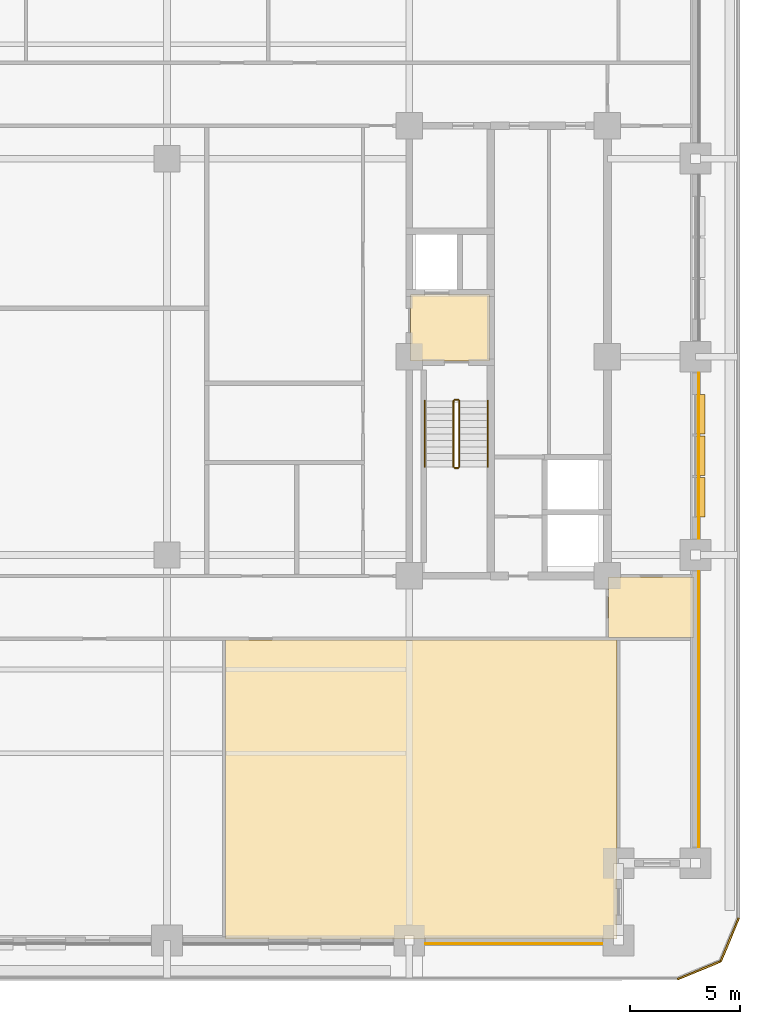
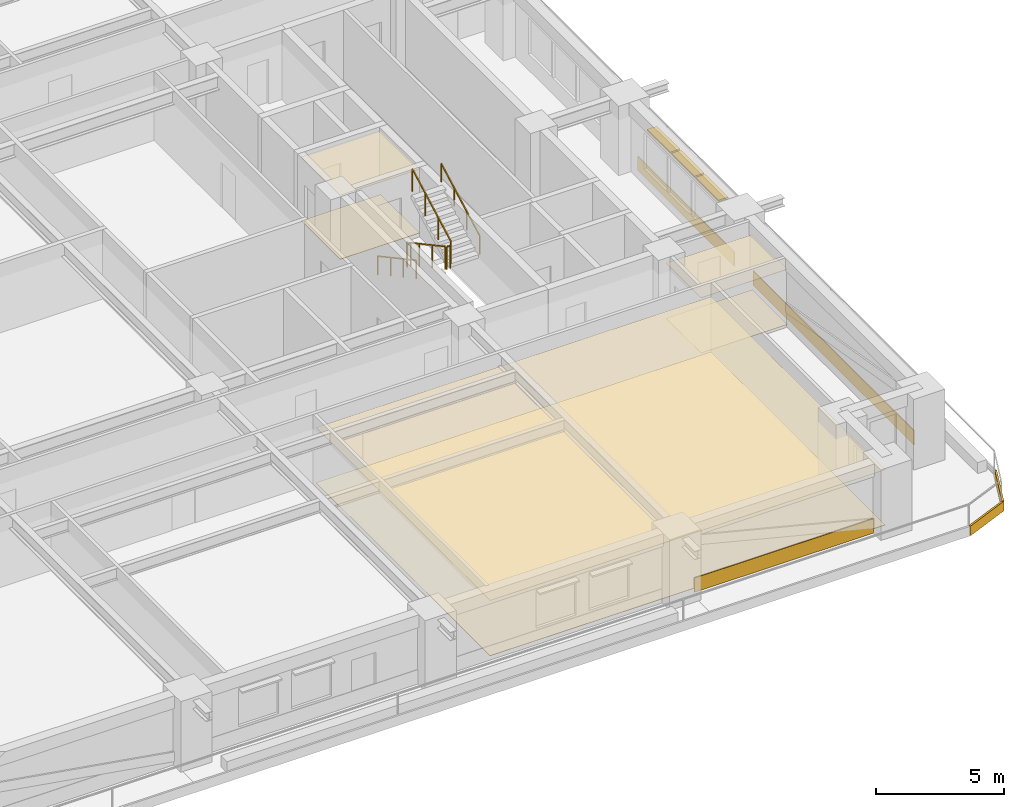
# One storey, part 13 of 14: 11 coverings, 6 railings, 3 shading devices.
"""IFC4 building model written with IfcOpenShell, lengths in metres."""

from ifc_helpers import new_model, si_unit, direction, frame, frame_2d, origin, origin_2d, place, context, subcontext, project, spatial, polyline, rectangle, outline, extrude, material, layer, layer_set, type_object, element, save


model = new_model("IFC4")

# Units and contexts
model_context = context("Model", 3, precision=1e-05, world=origin(), true_north=direction((0.0, 1.0)))
body_context = subcontext(model_context, "Body", "Model", "MODEL_VIEW")
ifc_project = project(units=[si_unit("LENGTHUNIT", "METRE"), si_unit("AREAUNIT", "SQUARE_METRE"), si_unit("VOLUMEUNIT", "CUBIC_METRE"), si_unit("PLANEANGLEUNIT", "RADIAN"), si_unit("MASSUNIT", "GRAM", prefix="KILO")], contexts=[model_context])

# Site, building, storey
site_placement = place(None, origin())
site = spatial("IfcSite", under=ifc_project, at=site_placement, CompositionType="ELEMENT")
building_placement = place(site_placement, origin())
building = spatial("IfcBuilding", under=site, at=building_placement, Name="Zulmaris Gate Convention Tower", CompositionType="ELEMENT")
storey_placement = place(building_placement, frame((0.0, 0.0, 64.329833984375)))
storey = spatial("IfcBuildingStorey", under=building, at=storey_placement, Name="L15", CompositionType="ELEMENT", Elevation=64.329833984375)

# Coverings
ifc_material_1 = material(Name="Precast concrete C40/50", Category="concrete")
ifc_layer_1 = layer(ifc_material_1, 0.0400390625, Name="Precast concrete C40/50")
ifc_layer_set_1 = layer_set([ifc_layer_1], Name="Precast concrete C40/50")
covering_type_1 = type_object("IfcCoveringType", Name="CLAD-SPANDREL-PRECAST", PredefinedType="CLADDING", material=ifc_layer_set_1)
covering_1_placement = place(storey_placement, frame((11.72998046875, -26.64990234375, 0.0), z_axis=(0.0, 0.0, 1.0), x_axis=(1.0, 0.0, 0.0)))
element("IfcCovering", 1, at=covering_1_placement, inside=storey, type_object=covering_type_1, Name="CLD-L15-S-3_0", PredefinedType="CLADDING", context=body_context, shape_type="SweptSolid", body=[
    extrude(rectangle(XDim=8.0400390625, YDim=0.0400390625, at=frame_2d((4.02001953125, 0.0))), origin(), (0.0, 0.0, 1.0), 0.679931640625),
])
covering_2_placement = place(storey_placement, frame((24.14990234375, -22.27001953125, 0.0), z_axis=(0.0, 0.0, 1.0), x_axis=(0.0, 1.0, 0.0)))
element("IfcCovering", 2, at=covering_2_placement, inside=storey, type_object=covering_type_1, Name="CLD-L15-E-0_0", PredefinedType="CLADDING", context=body_context, shape_type="SweptSolid", body=[
    extrude(rectangle(XDim=12.5400390625, YDim=0.0400390625, at=frame_2d((6.27001953125, 0.0))), origin(), (0.0, 0.0, 1.0), 0.679931640625),
])
covering_3_placement = place(storey_placement, frame((24.14990234375, -8.27001953125, 0.0), z_axis=(0.0, 0.0, 1.0), x_axis=(0.0, 1.0, 0.0)))
element("IfcCovering", 3, at=covering_3_placement, inside=storey, type_object=covering_type_1, Name="CLD-L15-E-1_0", PredefinedType="CLADDING", context=body_context, shape_type="SweptSolid", body=[
    extrude(rectangle(XDim=7.5400390625, YDim=0.0400390625, at=frame_2d((3.77001953125, 0.0))), origin(), (0.0, 0.0, 1.0), 0.679931640625),
])
ifc_material_2 = material(Name="White Glazed Architectural Precast Concrete C40/50", Category="concrete")
ifc_layer_2 = layer(ifc_material_2, 0.080078125, Name="White Glazed Architectural Precast Concrete C40/50")
ifc_layer_set_2 = layer_set([ifc_layer_2], Name="White Glazed Architectural Precast Concrete C40/50")
covering_type_2 = type_object("IfcCoveringType", Name="CLAD-TRAY-FASCIA", PredefinedType="CLADDING", material=ifc_layer_set_2)
covering_4_placement = place(storey_placement, frame((23.184814453125, -28.262939453125, -0.340087890625), z_axis=(0.0, 0.0, 1.0), x_axis=(0.923873803533, 0.382697263049, 0.0)))
element("IfcCovering", 4, at=covering_4_placement, inside=storey, type_object=covering_type_2, Name="FSC-L15-TR-03", PredefinedType="CLADDING", context=body_context, shape_type="SweptSolid", body=[
    extrude(rectangle(XDim=2.142822265625, YDim=0.080078125, at=frame_2d((1.0712890625, 0.0))), origin(), (0.0, 0.0, 1.0), 0.4599609375),
])
covering_5_placement = place(storey_placement, frame((25.142822265625, -27.464599609375, -0.340087890625), z_axis=(0.0, 0.0, 1.0), x_axis=(0.382656984709, 0.923890487046, 0.0)))
element("IfcCovering", 5, at=covering_5_placement, inside=storey, type_object=covering_type_2, Name="FSC-L15-TR-04", PredefinedType="CLADDING", context=body_context, shape_type="SweptSolid", body=[
    extrude(rectangle(XDim=2.14306640625, YDim=0.080078125, at=frame_2d((1.071533203125, 0.0))), origin(), (0.0, 0.0, 1.0), 0.4599609375),
])
ifc_material_3 = material(Name="Mineral Fibre Acoustic Ceiling Tile")
ifc_layer_3 = layer(ifc_material_3, 0.02001953125, Name="Mineral Fibre Acoustic Ceiling Tile")
ifc_layer_set_3 = layer_set([ifc_layer_3], Name="Mineral Fibre Acoustic Ceiling Tile")
covering_type_3 = type_object("IfcCoveringType", Name="CLG-ACOUSTIC-600", PredefinedType="CEILING", material=ifc_layer_set_3)
covering_6_placement = place(storey_placement, frame((0.0, 0.0, 3.0400390625)))
element("IfcCovering", 6, at=covering_6_placement, inside=storey, type_object=covering_type_3, Name="CLG-L15-R08", PredefinedType="CEILING", context=body_context, shape_type="SweptSolid", body=[
    extrude(outline(polyline([(11.06005859375, -0.18994140625), (14.639892578125, -0.18994140625), (14.639892578125, 2.840087890625), (11.06005859375, 2.840087890625), (11.06005859375, -0.18994140625)])), origin(), (0.0, 0.0, 1.0), 0.02001953125),
])
covering_7_placement = place(storey_placement, frame((0.0, 0.0, 2.628173828125)))
element("IfcCovering", 7, at=covering_7_placement, inside=storey, type_object=covering_type_3, Name="CLG-L15-R38", PredefinedType="CEILING", context=body_context, shape_type="SweptSolid", body=[
    extrude(outline(polyline([(2.659912109375, -26.43994140625), (20.43994140625, -26.43994140625), (20.43994140625, -12.860107421875), (2.659912109375, -12.860107421875), (2.659912109375, -26.43994140625)])), origin(), (0.0, 0.0, 1.0), 0.019775390625),
])
covering_8_placement = place(storey_placement, frame((0.0, 0.0, 2.628173828125)))
element("IfcCovering", 8, at=covering_8_placement, inside=storey, type_object=covering_type_3, Name="CLG-L15-R50", PredefinedType="CEILING", context=body_context, shape_type="SweptSolid", body=[
    extrude(outline(polyline([(20.06005859375, -12.739990234375), (23.93994140625, -12.739990234375), (23.93994140625, -10.010009765625), (20.06005859375, -10.010009765625), (20.06005859375, -12.739990234375)])), origin(), (0.0, 0.0, 1.0), 0.019775390625),
])
ifc_material_4 = material(Name="Woven Acoustic Wool Carpet Tile")
ifc_layer_4 = layer(ifc_material_4, 0.02001953125, Name="Woven Acoustic Wool Carpet Tile")
ifc_layer_set_4 = layer_set([ifc_layer_4], Name="Woven Acoustic Wool Carpet Tile")
covering_type_4 = type_object("IfcCoveringType", Name="FLR-CARPET-12", PredefinedType="FLOORING", material=ifc_layer_set_4)
covering_9_placement = place(storey_placement, origin())
element("IfcCovering", 9, at=covering_9_placement, inside=storey, type_object=covering_type_4, Name="FLR-L15-R08", PredefinedType="FLOORING", context=body_context, shape_type="SweptSolid", body=[
    extrude(outline(polyline([(11.06005859375, -0.18994140625), (14.639892578125, -0.18994140625), (14.639892578125, 2.840087890625), (11.06005859375, 2.840087890625), (11.06005859375, -0.18994140625)])), origin(), (0.0, 0.0, 1.0), 0.02001953125),
])
covering_10_placement = place(storey_placement, origin())
element("IfcCovering", 10, at=covering_10_placement, inside=storey, type_object=covering_type_4, Name="FLR-L15-R38", PredefinedType="FLOORING", context=body_context, shape_type="SweptSolid", body=[
    extrude(outline(polyline([(2.659912109375, -26.43994140625), (20.43994140625, -26.43994140625), (20.43994140625, -12.860107421875), (2.659912109375, -12.860107421875), (2.659912109375, -26.43994140625)])), origin(), (0.0, 0.0, 1.0), 0.02001953125),
])
covering_11_placement = place(storey_placement, origin())
element("IfcCovering", 11, at=covering_11_placement, inside=storey, type_object=covering_type_4, Name="FLR-L15-R50", PredefinedType="FLOORING", context=body_context, shape_type="SweptSolid", body=[
    extrude(outline(polyline([(20.06005859375, -12.739990234375), (23.93994140625, -12.739990234375), (23.93994140625, -10.010009765625), (20.06005859375, -10.010009765625), (20.06005859375, -12.739990234375)])), origin(), (0.0, 0.0, 1.0), 0.02001953125),
])

# Railings
ifc_material_5 = material(Name="Painted Galvanised Steel", Category="steel")
railing_type_1 = type_object("IfcRailingType", Name="RL-STG-1150", PredefinedType="GUARDRAIL", material=ifc_material_5)
railing_1_placement = place(storey_placement, frame((13.010009765625, -2.0, 0.162353515625)))
element("IfcRailing", 12, at=railing_1_placement, inside=storey, type_object=railing_type_1, Name="L15 ST-2 stair guard 1", PredefinedType="GUARDRAIL", context=body_context, shape_type="SweptSolid", body=[
    extrude(rectangle(XDim=0.048095703125, YDim=0.048095703125, at=origin_2d()), frame((0.0, 0.0, 1.076171875), z_axis=(0.0, -0.879591569277, 0.475729619907), x_axis=(1.0, 0.0, 0.0)), (0.0, 0.0, 1.0), 3.41064453125),
    extrude(rectangle(XDim=0.0419921875, YDim=0.0419921875, at=origin_2d()), origin(), (0.0, 0.0, 1.0), 1.052001953125),
    extrude(rectangle(XDim=0.0419921875, YDim=0.0419921875, at=origin_2d()), frame((0.0, -1.0, 0.540771484375)), (0.0, 0.0, 1.0), 1.052001953125),
    extrude(rectangle(XDim=0.0419921875, YDim=0.0419921875, at=origin_2d()), frame((0.0, -2.0, 1.081787109375)), (0.0, 0.0, 1.0), 1.052001953125),
    extrude(rectangle(XDim=0.0419921875, YDim=0.0419921875, at=origin_2d()), frame((0.0, -3.0, 1.62255859375)), (0.0, 0.0, 1.0), 1.052001953125),
])
railing_2_placement = place(storey_placement, frame((13.06005859375, -5.050048828125, 1.784912109375)))
element("IfcRailing", 13, at=railing_2_placement, inside=storey, type_object=railing_type_1, Name="L15 ST-2 stair guard 2", PredefinedType="GUARDRAIL", context=body_context, shape_type="SweptSolid", body=[
    extrude(rectangle(XDim=0.048095703125, YDim=0.048095703125, at=origin_2d()), frame((0.0, 0.0, 1.076171875), z_axis=(1.0, 0.0, 0.0), x_axis=(0.0, 1.0, 0.0)), (0.0, 0.0, 1.0), 0.159912109375),
    extrude(rectangle(XDim=0.0419921875, YDim=0.0419921875, at=origin_2d()), origin(), (0.0, 0.0, 1.0), 1.052001953125),
    extrude(rectangle(XDim=0.0419921875, YDim=0.0419921875, at=origin_2d()), frame((0.159912109375, 0.0, 0.0)), (0.0, 0.0, 1.0), 1.052001953125),
])
railing_3_placement = place(storey_placement, frame((13.27001953125, -5.0, 1.947265625)))
element("IfcRailing", 14, at=railing_3_placement, inside=storey, type_object=railing_type_1, Name="L15 ST-2 stair guard 3", PredefinedType="GUARDRAIL", context=body_context, shape_type="SweptSolid", body=[
    extrude(rectangle(XDim=0.048095703125, YDim=0.048095703125, at=origin_2d()), frame((0.0, 0.0, 1.076171875), z_axis=(0.0, 0.8795616155, 0.475784998228), x_axis=(-1.0, 0.0, 0.0)), (0.0, 0.0, 1.0), 3.410888671875),
    extrude(rectangle(XDim=0.0419921875, YDim=0.0419921875, at=origin_2d()), origin(), (0.0, 0.0, 1.0), 1.052001953125),
    extrude(rectangle(XDim=0.0419921875, YDim=0.0419921875, at=origin_2d()), frame((0.0, 1.0, 0.541015625)), (0.0, 0.0, 1.0), 1.052001953125),
    extrude(rectangle(XDim=0.0419921875, YDim=0.0419921875, at=origin_2d()), frame((0.0, 2.0, 1.081787109375)), (0.0, 0.0, 1.0), 1.052001953125),
    extrude(rectangle(XDim=0.0419921875, YDim=0.0419921875, at=origin_2d()), frame((0.0, 3.0, 1.622802734375)), (0.0, 0.0, 1.0), 1.052001953125),
])
railing_4_placement = place(storey_placement, frame((13.06005859375, -1.949951171875, 0.0)))
element("IfcRailing", 15, at=railing_4_placement, inside=storey, type_object=railing_type_1, Name="L15 ST-2 stair guard 4", PredefinedType="GUARDRAIL", context=body_context, shape_type="SweptSolid", body=[
    extrude(rectangle(XDim=0.048095703125, YDim=0.048095703125, at=origin_2d()), frame((0.0, 0.0, 1.076171875), z_axis=(1.0, 0.0, 0.0), x_axis=(0.0, 1.0, 0.0)), (0.0, 0.0, 1.0), 0.159912109375),
    extrude(rectangle(XDim=0.0419921875, YDim=0.0419921875, at=origin_2d()), origin(), (0.0, 0.0, 1.0), 1.052001953125),
    extrude(rectangle(XDim=0.0419921875, YDim=0.0419921875, at=origin_2d()), frame((0.159912109375, 0.0, 0.0)), (0.0, 0.0, 1.0), 1.052001953125),
])
ifc_material_6 = material(Name="Brushed Stainless Steel", Category="steel")
railing_type_2 = type_object("IfcRailingType", Name="RL-STH-900", PredefinedType="HANDRAIL", material=ifc_material_6)
railing_5_placement = place(storey_placement, frame((11.7099609375, -2.0, 0.162353515625)))
element("IfcRailing", 16, at=railing_5_placement, inside=storey, type_object=railing_type_2, Name="L15 ST-2 stair handrail 1", PredefinedType="HANDRAIL", context=body_context, shape_type="SweptSolid", body=[
    extrude(rectangle(XDim=0.048095703125, YDim=0.048095703125, at=origin_2d()), frame((0.0, 0.0, 0.8759765625), z_axis=(0.0, -0.879591569277, 0.475729619907), x_axis=(1.0, 0.0, 0.0)), (0.0, 0.0, 1.0), 3.41064453125),
    extrude(rectangle(XDim=0.0419921875, YDim=0.0419921875, at=origin_2d()), origin(), (0.0, 0.0, 1.0), 0.851806640625),
    extrude(rectangle(XDim=0.0419921875, YDim=0.0419921875, at=origin_2d()), frame((0.0, -1.0, 0.540771484375)), (0.0, 0.0, 1.0), 0.851806640625),
    extrude(rectangle(XDim=0.0419921875, YDim=0.0419921875, at=origin_2d()), frame((0.0, -2.0, 1.081787109375)), (0.0, 0.0, 1.0), 0.851806640625),
    extrude(rectangle(XDim=0.0419921875, YDim=0.0419921875, at=origin_2d()), frame((0.0, -3.0, 1.62255859375)), (0.0, 0.0, 1.0), 0.851806640625),
])
railing_6_placement = place(storey_placement, frame((14.570068359375, -5.0, 1.947265625)))
element("IfcRailing", 17, at=railing_6_placement, inside=storey, type_object=railing_type_2, Name="L15 ST-2 stair handrail 2", PredefinedType="HANDRAIL", context=body_context, shape_type="SweptSolid", body=[
    extrude(rectangle(XDim=0.048095703125, YDim=0.048095703125, at=origin_2d()), frame((0.0, 0.0, 0.8759765625), z_axis=(0.0, 0.8795616155, 0.475784998228), x_axis=(-1.0, 0.0, 0.0)), (0.0, 0.0, 1.0), 3.410888671875),
    extrude(rectangle(XDim=0.0419921875, YDim=0.0419921875, at=origin_2d()), origin(), (0.0, 0.0, 1.0), 0.851806640625),
    extrude(rectangle(XDim=0.0419921875, YDim=0.0419921875, at=origin_2d()), frame((0.0, 1.0, 0.541015625)), (0.0, 0.0, 1.0), 0.851806640625),
    extrude(rectangle(XDim=0.0419921875, YDim=0.0419921875, at=origin_2d()), frame((0.0, 2.0, 1.081787109375)), (0.0, 0.0, 1.0), 0.851806640625),
    extrude(rectangle(XDim=0.0419921875, YDim=0.0419921875, at=origin_2d()), frame((0.0, 3.0, 1.622802734375)), (0.0, 0.0, 1.0), 0.851806640625),
])

# Shading devices
ifc_material_7 = material(Name="Glazed Ceramic Terracotta", Category="masonry")
ifc_layer_5 = layer(ifc_material_7, 0.070068359375, Name="Glazed Ceramic Terracotta")
ifc_layer_set_5 = layer_set([ifc_layer_5], Name="Glazed Ceramic Terracotta")
shading_device_type = type_object("IfcShadingDeviceType", Name="SHD-SUNSHADE-TC", PredefinedType="AWNING", material=ifc_layer_set_5)
for number, where, z_axis, x_axis, name in (
    (18, (24.219970703125, -7.284912109375, 2.530029296875), (0.0, 0.0, 1.0), (0.0, 1.0, 0.0), "SHD-EW-L15-E-1_0-1"),
    (19, (24.219970703125, -5.39990234375, 2.530029296875), (0.0, 0.0, 1.0), (0.0, 1.0, 0.0), "SHD-EW-L15-E-1_0-2"),
    (20, (24.219970703125, -3.514892578125, 2.530029296875), (0.0, 0.0, 1.0), (0.0, 1.0, 0.0), "SHD-EW-L15-E-1_0-3"),
):
    element("IfcShadingDevice", number, at=place(storey_placement, frame(where, z_axis=z_axis, x_axis=x_axis)), inside=storey, type_object=shading_device_type, Name=name, PredefinedType="AWNING", context=body_context, shape_type="SweptSolid", body=[
        extrude(rectangle(XDim=1.7998046875, YDim=0.43994140625, at=frame_2d((0.89990234375, 0.0))), origin(), (0.0, 0.0, 1.0), 0.06982421875),
    ])

save(model, "model.ifc")
